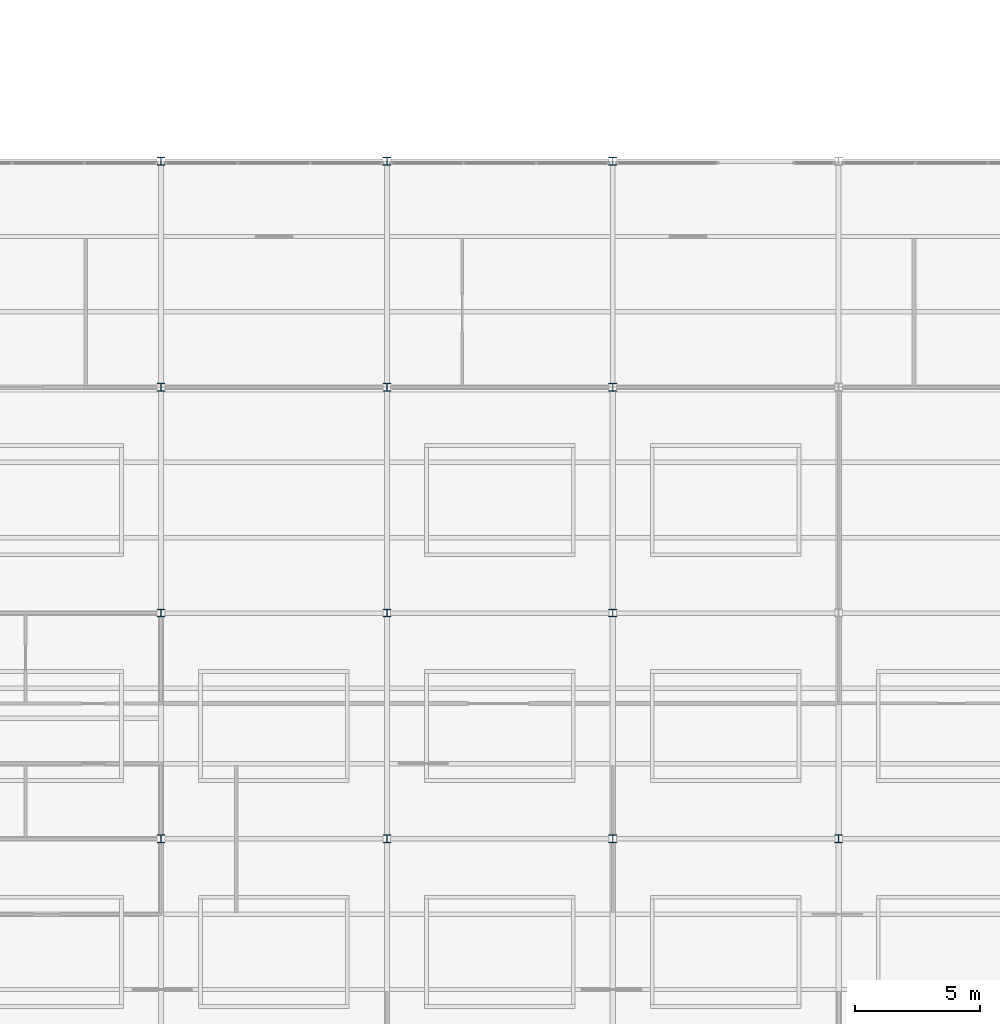
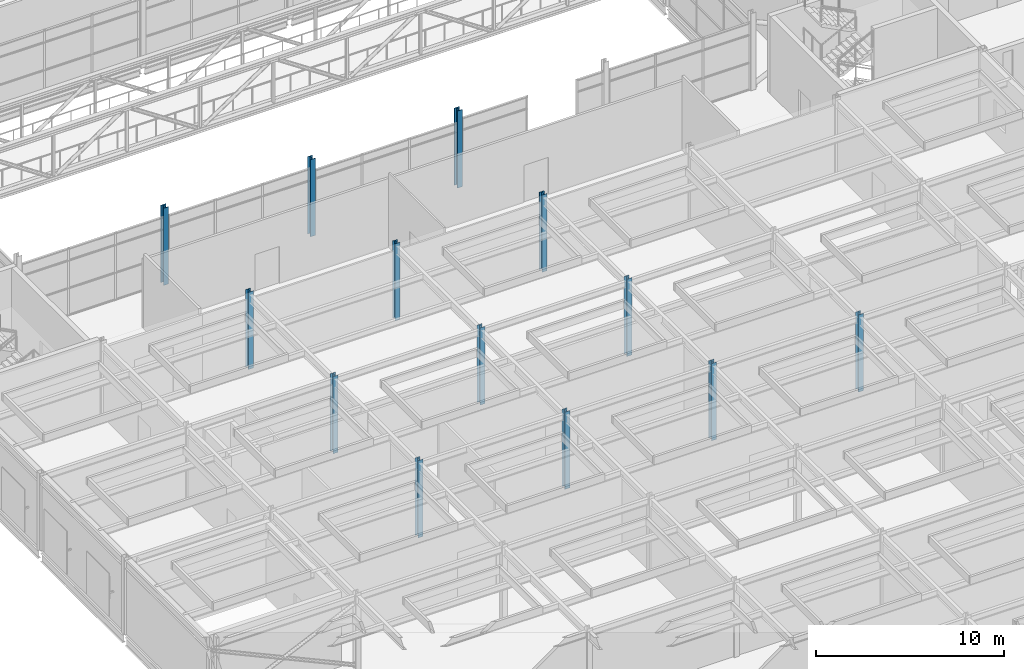
# One storey, part 6 of 115: 13 columns.
"""IFC4 building model written with IfcOpenShell, lengths in metres."""

from ifc_helpers import new_model, si_unit, direction, frame, origin, origin_2d, place, context, subcontext, project, spatial, i_section, extrude, material, material_profile, profile_set, type_object, element, save


model = new_model("IFC4")

# Units and contexts
model_context = context("Model", 3, precision=1e-05, world=origin(), true_north=direction((0.0, 1.0)))
body_context = subcontext(model_context, "Body", "Model", "MODEL_VIEW")
ifc_project = project(units=[si_unit("LENGTHUNIT", "METRE"), si_unit("AREAUNIT", "SQUARE_METRE"), si_unit("VOLUMEUNIT", "CUBIC_METRE"), si_unit("PLANEANGLEUNIT", "RADIAN"), si_unit("MASSUNIT", "GRAM", prefix="KILO")], contexts=[model_context])

# Site, building, storey
site_placement = place(None, origin())
site = spatial("IfcSite", under=ifc_project, at=site_placement, CompositionType="ELEMENT")
building_placement = place(site_placement, origin())
building = spatial("IfcBuilding", under=site, at=building_placement, Name="Shorebreak Coast Museum", CompositionType="ELEMENT")
storey_placement = place(building_placement, frame((0.0, 0.0, 11.0)))
storey = spatial("IfcBuildingStorey", under=building, at=storey_placement, Name="L02", CompositionType="ELEMENT", Elevation=11.0)

# Columns
ifc_material_1 = material(Name="Steel Grade 300", Category="steel")
ifc_material_profile_1 = material_profile(ifc_material_1, i_section(OverallWidth=0.306884765625, OverallDepth=0.314697265625, WebThickness=0.011962890625, FlangeThickness=0.018798828125, FilletRadius=0.0166015625, at=origin_2d()), Name="310UC118")
ifc_profile_set_1 = profile_set([ifc_material_profile_1], Name="Steel Grade 300")
column_type_1 = type_object("IfcColumnType", Name="Column 310UC118", PredefinedType="COLUMN", material=ifc_profile_set_1)
for number, where, z_axis, x_axis, name in (
    (1, (72.0, 36.0, 0.0), (0.0, 0.0, 1.0), (1.0, 0.0, 0.0), "Column L02 9E"),
    (2, (81.0, 36.0, 0.0), (0.0, 0.0, 1.0), (1.0, 0.0, 0.0), "Column L02 10E"),
    (3, (90.0, 36.0, 0.0), (0.0, 0.0, 1.0), (1.0, 0.0, 0.0), "Column L02 11E"),
    (4, (99.0, 36.0, 0.0), (0.0, 0.0, 1.0), (1.0, 0.0, 0.0), "Column L02 12E"),
    (5, (72.0, 45.0, 0.0), (0.0, 0.0, 1.0), (1.0, 0.0, 0.0), "Column L02 9F"),
    (6, (81.0, 45.0, 0.0), (0.0, 0.0, 1.0), (1.0, 0.0, 0.0), "Column L02 10F"),
    (7, (90.0, 45.0, 0.0), (0.0, 0.0, 1.0), (1.0, 0.0, 0.0), "Column L02 11F"),
    (8, (72.0, 54.0, 0.0), (0.0, 0.0, 1.0), (1.0, 0.0, 0.0), "Column L02 9G"),
    (9, (81.0, 54.0, 0.0), (0.0, 0.0, 1.0), (1.0, 0.0, 0.0), "Column L02 10G"),
    (10, (90.0, 54.0, 0.0), (0.0, 0.0, 1.0), (1.0, 0.0, 0.0), "Column L02 11G"),
):
    element("IfcColumn", number, at=place(storey_placement, frame(where, z_axis=z_axis, x_axis=x_axis)), inside=storey, type_object=column_type_1, Name=name, PredefinedType="COLUMN", context=body_context, shape_type="SweptSolid", body=[
        extrude(i_section(OverallWidth=0.306884765625, OverallDepth=0.314697265625, WebThickness=0.011962890625, FlangeThickness=0.018798828125, FilletRadius=0.0166015625, at=origin_2d()), origin(), (0.0, 0.0, 1.0), 5.0),
    ])
ifc_material_2 = material(Name="Steel Grade 300", Category="steel")
ifc_material_profile_2 = material_profile(ifc_material_2, i_section(OverallWidth=0.31103515625, OverallDepth=0.3271484375, WebThickness=0.015625, FlangeThickness=0.02490234375, FilletRadius=0.0166015625, at=origin_2d()), Name="310UC158")
ifc_profile_set_2 = profile_set([ifc_material_profile_2], Name="Steel Grade 300")
column_type_2 = type_object("IfcColumnType", Name="Column 310UC158", PredefinedType="COLUMN", material=ifc_profile_set_2)
for number, where, z_axis, x_axis, name in (
    (11, (72.0, 63.0, 0.0), (0.0, 0.0, 1.0), (1.0, 0.0, 0.0), "Column L02 9H"),
    (12, (81.0, 63.0, 0.0), (0.0, 0.0, 1.0), (1.0, 0.0, 0.0), "Column L02 10H"),
    (13, (90.0, 63.0, 0.0), (0.0, 0.0, 1.0), (1.0, 0.0, 0.0), "Column L02 11H"),
):
    element("IfcColumn", number, at=place(storey_placement, frame(where, z_axis=z_axis, x_axis=x_axis)), inside=storey, type_object=column_type_2, Name=name, PredefinedType="COLUMN", context=body_context, shape_type="SweptSolid", body=[
        extrude(i_section(OverallWidth=0.31103515625, OverallDepth=0.3271484375, WebThickness=0.015625, FlangeThickness=0.02490234375, FilletRadius=0.0166015625, at=origin_2d()), origin(), (0.0, 0.0, 1.0), 5.0),
    ])

save(model, "model.ifc")
